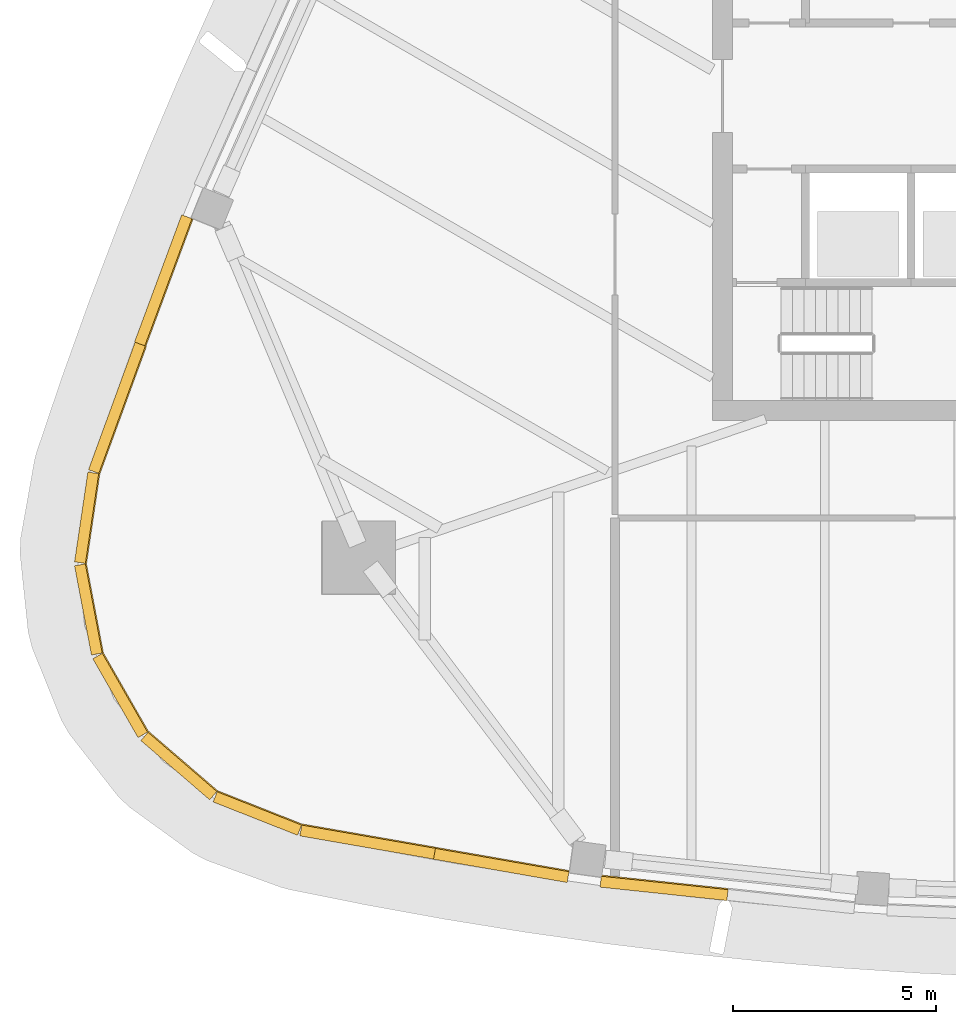
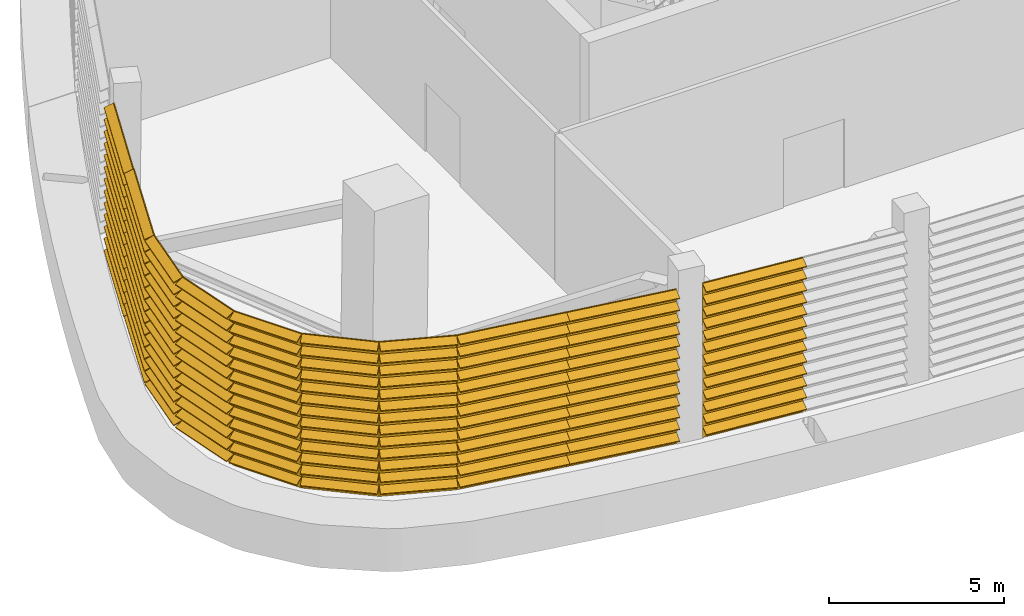
# One storey, part 7 of 15: 10 shading devices.
"""IFC4 building model written with IfcOpenShell, lengths in metres."""

from ifc_helpers import new_model, si_unit, direction, frame, origin, place, context, subcontext, project, spatial, polyline, outline, extrude, material, type_object, element, save


model = new_model("IFC4")

# Units and contexts
model_context = context("Model", 3, precision=1e-05, world=origin(), true_north=direction((0.0, 1.0)))
body_context = subcontext(model_context, "Body", "Model", "MODEL_VIEW")
ifc_project = project(units=[si_unit("LENGTHUNIT", "METRE"), si_unit("AREAUNIT", "SQUARE_METRE"), si_unit("VOLUMEUNIT", "CUBIC_METRE"), si_unit("PLANEANGLEUNIT", "RADIAN"), si_unit("MASSUNIT", "GRAM", prefix="KILO")], contexts=[model_context])

# Site, building, storey
site_placement = place(None, origin())
site = spatial("IfcSite", under=ifc_project, at=site_placement, CompositionType="ELEMENT")
building_placement = place(site_placement, origin())
building = spatial("IfcBuilding", under=site, at=building_placement, Name="Sierra Prisma Convention Tower", CompositionType="ELEMENT")
storey_placement = place(building_placement, frame((0.0, 0.0, 324.39990234375)))
storey = spatial("IfcBuildingStorey", under=building, at=storey_placement, Name="L74", CompositionType="ELEMENT", Elevation=324.39990234375)

# Shading devices
ifc_material = material(Name="Aluminium 6063-T6 bronze anodised", Category="aluminium")
shading_device_type = type_object("IfcShadingDeviceType", Name="Louvre bay bronze", PredefinedType="USERDEFINED", material=ifc_material)
shading_device_1_placement = place(storey_placement, frame((-21.11376953125, -17.943359375, 0.0), z_axis=(-0.985221809812, 0.17128334849, 0.0), x_axis=(0.0, 0.0, 1.0)))
element("IfcShadingDevice", 1, at=shading_device_1_placement, inside=storey, type_object=shading_device_type, Name="Louvre L74 S1.1", ObjectType="LOUVRE", PredefinedType="USERDEFINED", context=body_context, shape_type="SweptSolid", body=[
    extrude(outline(polyline([(0.0, 0.0), (5.400146484375, 0.0), (5.400146484375, -0.029982614576560637), (5.380126953125, -0.029982614576560637), (5.260009765625, -0.30010849565777015), (5.22998046875, -0.30010849565777015), (5.35009765625, -0.029982614576560637), (4.984619140625, -0.029982614576560637), (4.964599609375, -0.029982614576560637), (4.8447265625, -0.30010849565777015), (4.814697265625, -0.30010849565777015), (4.934814453125, -0.029982614576560637), (4.5693359375, -0.029982614576560637), (4.54931640625, -0.029982614576560637), (4.429443359375, -0.30010849565777015), (4.3994140625, -0.30010849565777015), (4.519287109375, -0.029982614576560637), (4.154052734375, -0.029982614576560637), (4.134033203125, -0.029982614576560637), (4.013916015625, -0.30010849565777015), (3.98388671875, -0.30010849565777015), (4.10400390625, -0.029982614576560637), (3.738525390625, -0.029982614576560637), (3.718505859375, -0.029982614576560637), (3.5986328125, -0.30010849565777015), (3.568603515625, -0.30010849565777015), (3.6884765625, -0.029982614576560637), (3.3232421875, -0.029982614576560637), (3.30322265625, -0.029982614576560637), (3.18310546875, -0.30010849565777015), (3.153076171875, -0.30010849565777015), (3.273193359375, -0.029982614576560637), (2.90771484375, -0.029982614576560637), (2.8876953125, -0.029982614576560637), (2.767822265625, -0.30010849565777015), (2.73779296875, -0.30010849565777015), (2.85791015625, -0.029982614576560637), (2.492431640625, -0.029982614576560637), (2.472412109375, -0.029982614576560637), (2.352294921875, -0.30010849565777015), (2.322509765625, -0.30010849565777015), (2.4423828125, -0.029982614576560637), (2.076904296875, -0.029982614576560637), (2.05712890625, -0.029982614576560637), (1.93701171875, -0.30010849565777015), (1.906982421875, -0.30010849565777015), (2.027099609375, -0.029982614576560637), (1.66162109375, -0.029982614576560637), (1.6416015625, -0.029982614576560637), (1.521728515625, -0.30010849565777015), (1.49169921875, -0.30010849565777015), (1.611572265625, -0.029982614576560637), (1.246337890625, -0.029982614576560637), (1.226318359375, -0.029982614576560637), (1.106201171875, -0.30010849565777015), (1.076171875, -0.30010849565777015), (1.1962890625, -0.029982614576560637), (0.830810546875, -0.029982614576560637), (0.810791015625, -0.029982614576560637), (0.69091796875, -0.30010849565777015), (0.660888671875, -0.30010849565777015), (0.78076171875, -0.029982614576560637), (0.41552734375, -0.029982614576560637), (0.3955078125, -0.029982614576560637), (0.275390625, -0.30010849565777015), (0.245361328125, -0.30010849565777015), (0.365478515625, -0.029982614576560637), (0.0, -0.029982614576560637), (0.0, 0.0)])), origin(), (0.0, 0.0, -1.0), 3.343505859375),
])
shading_device_2_placement = place(storey_placement, frame((-17.81982421875, -18.5185546875, 0.0), z_axis=(-0.98516163122, 0.171629136139, 0.0), x_axis=(0.0, 0.0, 1.0)))
element("IfcShadingDevice", 2, at=shading_device_2_placement, inside=storey, type_object=shading_device_type, Name="Louvre L74 S1.2", ObjectType="LOUVRE", PredefinedType="USERDEFINED", context=body_context, shape_type="SweptSolid", body=[
    extrude(outline(polyline([(0.0, 0.0), (5.400146484375, 0.0), (5.400146484375, -0.029982609676891352), (5.380126953125, -0.029982609676891352), (5.260009765625, -0.30015041803441583), (5.22998046875, -0.30015041803441583), (5.35009765625, -0.029982609676891352), (4.984619140625, -0.029982609676891352), (4.964599609375, -0.029982609676891352), (4.8447265625, -0.30015041803441583), (4.814697265625, -0.30015041803441583), (4.934814453125, -0.029982609676891352), (4.5693359375, -0.029982609676891352), (4.54931640625, -0.029982609676891352), (4.429443359375, -0.30015041803441583), (4.3994140625, -0.30015041803441583), (4.519287109375, -0.029982609676891352), (4.154052734375, -0.029982609676891352), (4.134033203125, -0.029982609676891352), (4.013916015625, -0.30015041803441583), (3.98388671875, -0.30015041803441583), (4.10400390625, -0.029982609676891352), (3.738525390625, -0.029982609676891352), (3.718505859375, -0.029982609676891352), (3.5986328125, -0.30015041803441583), (3.568603515625, -0.30015041803441583), (3.6884765625, -0.029982609676891352), (3.3232421875, -0.029982609676891352), (3.30322265625, -0.029982609676891352), (3.18310546875, -0.30015041803441583), (3.153076171875, -0.30015041803441583), (3.273193359375, -0.029982609676891352), (2.90771484375, -0.029982609676891352), (2.8876953125, -0.029982609676891352), (2.767822265625, -0.30015041803441583), (2.73779296875, -0.30015041803441583), (2.85791015625, -0.029982609676891352), (2.492431640625, -0.029982609676891352), (2.472412109375, -0.029982609676891352), (2.352294921875, -0.30015041803441583), (2.322509765625, -0.30015041803441583), (2.4423828125, -0.029982609676891352), (2.076904296875, -0.029982609676891352), (2.05712890625, -0.029982609676891352), (1.93701171875, -0.30015041803441583), (1.906982421875, -0.30015041803441583), (2.027099609375, -0.029982609676891352), (1.66162109375, -0.029982609676891352), (1.6416015625, -0.029982609676891352), (1.521728515625, -0.30015041803441583), (1.49169921875, -0.30015041803441583), (1.611572265625, -0.029982609676891352), (1.246337890625, -0.029982609676891352), (1.226318359375, -0.029982609676891352), (1.106201171875, -0.30015041803441583), (1.076171875, -0.30015041803441583), (1.1962890625, -0.029982609676891352), (0.830810546875, -0.029982609676891352), (0.810791015625, -0.029982609676891352), (0.69091796875, -0.30015041803441583), (0.660888671875, -0.30015041803441583), (0.78076171875, -0.029982609676891352), (0.41552734375, -0.029982609676891352), (0.3955078125, -0.029982609676891352), (0.275390625, -0.30015041803441583), (0.245361328125, -0.30015041803441583), (0.365478515625, -0.029982609676891352), (0.0, -0.029982609676891352), (0.0, 0.0)])), origin(), (0.0, 0.0, -1.0), 3.343505859375),
])
shading_device_3_placement = place(storey_placement, frame((-13.734130859375, -19.2041015625, 0.0), z_axis=(-0.994453485759, 0.105177301079, 0.0), x_axis=(0.0, 0.0, 1.0)))
element("IfcShadingDevice", 3, at=shading_device_3_placement, inside=storey, type_object=shading_device_type, Name="Louvre L74 S2.1", ObjectType="LOUVRE", PredefinedType="USERDEFINED", context=body_context, shape_type="SweptSolid", body=[
    extrude(outline(polyline([(0.0, 0.0), (5.400146484375, 0.0), (5.400146484375, -0.029953767132957766), (5.380126953125, -0.029953767132957766), (5.260009765625, -0.29997188821662857), (5.22998046875, -0.29997188821662857), (5.35009765625, -0.029953767132957766), (4.984619140625, -0.029953767132957766), (4.964599609375, -0.029953767132957766), (4.8447265625, -0.29997188821662857), (4.814697265625, -0.29997188821662857), (4.934814453125, -0.029953767132957766), (4.5693359375, -0.029953767132957766), (4.54931640625, -0.029953767132957766), (4.429443359375, -0.29997188821662857), (4.3994140625, -0.29997188821662857), (4.519287109375, -0.029953767132957766), (4.154052734375, -0.029953767132957766), (4.134033203125, -0.029953767132957766), (4.013916015625, -0.29997188821662857), (3.98388671875, -0.29997188821662857), (4.10400390625, -0.029953767132957766), (3.738525390625, -0.029953767132957766), (3.718505859375, -0.029953767132957766), (3.5986328125, -0.29997188821662857), (3.568603515625, -0.29997188821662857), (3.6884765625, -0.029953767132957766), (3.3232421875, -0.029953767132957766), (3.30322265625, -0.029953767132957766), (3.18310546875, -0.29997188821662857), (3.153076171875, -0.29997188821662857), (3.273193359375, -0.029953767132957766), (2.90771484375, -0.029953767132957766), (2.8876953125, -0.029953767132957766), (2.767822265625, -0.29997188821662857), (2.73779296875, -0.29997188821662857), (2.85791015625, -0.029953767132957766), (2.492431640625, -0.029953767132957766), (2.472412109375, -0.029953767132957766), (2.352294921875, -0.29997188821662857), (2.322509765625, -0.29997188821662857), (2.4423828125, -0.029953767132957766), (2.076904296875, -0.029953767132957766), (2.05712890625, -0.029953767132957766), (1.93701171875, -0.29997188821662857), (1.906982421875, -0.29997188821662857), (2.027099609375, -0.029953767132957766), (1.66162109375, -0.029953767132957766), (1.6416015625, -0.029953767132957766), (1.521728515625, -0.29997188821662857), (1.49169921875, -0.29997188821662857), (1.611572265625, -0.029953767132957766), (1.246337890625, -0.029953767132957766), (1.226318359375, -0.029953767132957766), (1.106201171875, -0.29997188821662857), (1.076171875, -0.29997188821662857), (1.1962890625, -0.029953767132957766), (0.830810546875, -0.029953767132957766), (0.810791015625, -0.029953767132957766), (0.69091796875, -0.29997188821662857), (0.660888671875, -0.29997188821662857), (0.78076171875, -0.029953767132957766), (0.41552734375, -0.029953767132957766), (0.3955078125, -0.029953767132957766), (0.275390625, -0.29997188821662857), (0.245361328125, -0.29997188821662857), (0.365478515625, -0.029953767132957766), (0.0, -0.029953767132957766), (0.0, 0.0)])), origin(), (0.0, 0.0, -1.0), 3.1435546875),
])
shading_device_4_placement = place(storey_placement, frame((-23.798828125, -3.033203125, 0.0), z_axis=(0.347573227133, 0.937652841824, 0.0), x_axis=(0.0, 0.0, 1.0)))
element("IfcShadingDevice", 4, at=shading_device_4_placement, inside=storey, type_object=shading_device_type, Name="Louvre L74 NW6.1", ObjectType="LOUVRE", PredefinedType="USERDEFINED", context=body_context, shape_type="SweptSolid", body=[
    extrude(outline(polyline([(0.0, 0.0), (5.400146484375, 0.0), (5.400146484375, -0.029974542377065965), (5.380126953125, -0.029974542377065965), (5.260009765625, -0.3000671031596655), (5.22998046875, -0.3000671031596655), (5.35009765625, -0.029974542377065965), (4.984619140625, -0.029974542377065965), (4.964599609375, -0.029974542377065965), (4.8447265625, -0.3000671031596655), (4.814697265625, -0.3000671031596655), (4.934814453125, -0.029974542377065965), (4.5693359375, -0.029974542377065965), (4.54931640625, -0.029974542377065965), (4.429443359375, -0.3000671031596655), (4.3994140625, -0.3000671031596655), (4.519287109375, -0.029974542377065965), (4.154052734375, -0.029974542377065965), (4.134033203125, -0.029974542377065965), (4.013916015625, -0.3000671031596655), (3.98388671875, -0.3000671031596655), (4.10400390625, -0.029974542377065965), (3.738525390625, -0.029974542377065965), (3.718505859375, -0.029974542377065965), (3.5986328125, -0.3000671031596655), (3.568603515625, -0.3000671031596655), (3.6884765625, -0.029974542377065965), (3.3232421875, -0.029974542377065965), (3.30322265625, -0.029974542377065965), (3.18310546875, -0.3000671031596655), (3.153076171875, -0.3000671031596655), (3.273193359375, -0.029974542377065965), (2.90771484375, -0.029974542377065965), (2.8876953125, -0.029974542377065965), (2.767822265625, -0.3000671031596655), (2.73779296875, -0.3000671031596655), (2.85791015625, -0.029974542377065965), (2.492431640625, -0.029974542377065965), (2.472412109375, -0.029974542377065965), (2.352294921875, -0.3000671031596655), (2.322509765625, -0.3000671031596655), (2.4423828125, -0.029974542377065965), (2.076904296875, -0.029974542377065965), (2.05712890625, -0.029974542377065965), (1.93701171875, -0.3000671031596655), (1.906982421875, -0.3000671031596655), (2.027099609375, -0.029974542377065965), (1.66162109375, -0.029974542377065965), (1.6416015625, -0.029974542377065965), (1.521728515625, -0.3000671031596655), (1.49169921875, -0.3000671031596655), (1.611572265625, -0.029974542377065965), (1.246337890625, -0.029974542377065965), (1.226318359375, -0.029974542377065965), (1.106201171875, -0.3000671031596655), (1.076171875, -0.3000671031596655), (1.1962890625, -0.029974542377065965), (0.830810546875, -0.029974542377065965), (0.810791015625, -0.029974542377065965), (0.69091796875, -0.3000671031596655), (0.660888671875, -0.3000671031596655), (0.78076171875, -0.029974542377065965), (0.41552734375, -0.029974542377065965), (0.3955078125, -0.029974542377065965), (0.275390625, -0.3000671031596655), (0.245361328125, -0.3000671031596655), (0.365478515625, -0.029974542377065965), (0.0, -0.029974542377065965), (0.0, 0.0)])), origin(), (0.0, 0.0, -1.0), 3.343505859375),
])
shading_device_5_placement = place(storey_placement, frame((-24.947509765625, -6.173095703125, 0.0), z_axis=(0.343224165368, 0.939253518656, 0.0), x_axis=(0.0, 0.0, 1.0)))
element("IfcShadingDevice", 5, at=shading_device_5_placement, inside=storey, type_object=shading_device_type, Name="Louvre L74 NW6.2", ObjectType="LOUVRE", PredefinedType="USERDEFINED", context=body_context, shape_type="SweptSolid", body=[
    extrude(outline(polyline([(0.0, 0.0), (5.400146484375, 0.0), (5.400146484375, -0.0298900316383988), (5.380126953125, -0.0298900316383988), (5.260009765625, -0.29998514607279647), (5.22998046875, -0.29998514607279647), (5.35009765625, -0.0298900316383988), (4.984619140625, -0.0298900316383988), (4.964599609375, -0.0298900316383988), (4.8447265625, -0.29998514607279647), (4.814697265625, -0.29998514607279647), (4.934814453125, -0.0298900316383988), (4.5693359375, -0.0298900316383988), (4.54931640625, -0.0298900316383988), (4.429443359375, -0.29998514607279647), (4.3994140625, -0.29998514607279647), (4.519287109375, -0.0298900316383988), (4.154052734375, -0.0298900316383988), (4.134033203125, -0.0298900316383988), (4.013916015625, -0.29998514607279647), (3.98388671875, -0.29998514607279647), (4.10400390625, -0.0298900316383988), (3.738525390625, -0.0298900316383988), (3.718505859375, -0.0298900316383988), (3.5986328125, -0.29998514607279647), (3.568603515625, -0.29998514607279647), (3.6884765625, -0.0298900316383988), (3.3232421875, -0.0298900316383988), (3.30322265625, -0.0298900316383988), (3.18310546875, -0.29998514607279647), (3.153076171875, -0.29998514607279647), (3.273193359375, -0.0298900316383988), (2.90771484375, -0.0298900316383988), (2.8876953125, -0.0298900316383988), (2.767822265625, -0.29998514607279647), (2.73779296875, -0.29998514607279647), (2.85791015625, -0.0298900316383988), (2.492431640625, -0.0298900316383988), (2.472412109375, -0.0298900316383988), (2.352294921875, -0.29998514607279647), (2.322509765625, -0.29998514607279647), (2.4423828125, -0.0298900316383988), (2.076904296875, -0.0298900316383988), (2.05712890625, -0.0298900316383988), (1.93701171875, -0.29998514607279647), (1.906982421875, -0.29998514607279647), (2.027099609375, -0.0298900316383988), (1.66162109375, -0.0298900316383988), (1.6416015625, -0.0298900316383988), (1.521728515625, -0.29998514607279647), (1.49169921875, -0.29998514607279647), (1.611572265625, -0.0298900316383988), (1.246337890625, -0.0298900316383988), (1.226318359375, -0.0298900316383988), (1.106201171875, -0.29998514607279647), (1.076171875, -0.29998514607279647), (1.1962890625, -0.0298900316383988), (0.830810546875, -0.0298900316383988), (0.810791015625, -0.0298900316383988), (0.69091796875, -0.29998514607279647), (0.660888671875, -0.29998514607279647), (0.78076171875, -0.0298900316383988), (0.41552734375, -0.0298900316383988), (0.3955078125, -0.0298900316383988), (0.275390625, -0.29998514607279647), (0.245361328125, -0.29998514607279647), (0.365478515625, -0.0298900316383988), (0.0, -0.0298900316383988), (0.0, 0.0)])), origin(), (0.0, 0.0, -1.0), 3.343505859375),
])
shading_device_6_placement = place(storey_placement, frame((-26.09619140625, -9.313232421875, 0.0), z_axis=(0.146513985159, 0.989208598908, 0.0), x_axis=(0.0, 0.0, 1.0)))
element("IfcShadingDevice", 6, at=shading_device_6_placement, inside=storey, type_object=shading_device_type, Name="Louvre L74 SW1.1", ObjectType="LOUVRE", PredefinedType="USERDEFINED", context=body_context, shape_type="SweptSolid", body=[
    extrude(outline(polyline([(0.0, 0.0), (5.400146484375, 0.0), (5.400146484375, -0.03010759296865108), (5.380126953125, -0.03010759296865108), (5.260009765625, -0.3001456756800481), (5.22998046875, -0.3001456756800481), (5.35009765625, -0.03010759296865108), (4.984619140625, -0.03010759296865108), (4.964599609375, -0.03010759296865108), (4.8447265625, -0.3001456756800481), (4.814697265625, -0.3001456756800481), (4.934814453125, -0.03010759296865108), (4.5693359375, -0.03010759296865108), (4.54931640625, -0.03010759296865108), (4.429443359375, -0.3001456756800481), (4.3994140625, -0.3001456756800481), (4.519287109375, -0.03010759296865108), (4.154052734375, -0.03010759296865108), (4.134033203125, -0.03010759296865108), (4.013916015625, -0.3001456756800481), (3.98388671875, -0.3001456756800481), (4.10400390625, -0.03010759296865108), (3.738525390625, -0.03010759296865108), (3.718505859375, -0.03010759296865108), (3.5986328125, -0.3001456756800481), (3.568603515625, -0.3001456756800481), (3.6884765625, -0.03010759296865108), (3.3232421875, -0.03010759296865108), (3.30322265625, -0.03010759296865108), (3.18310546875, -0.3001456756800481), (3.153076171875, -0.3001456756800481), (3.273193359375, -0.03010759296865108), (2.90771484375, -0.03010759296865108), (2.8876953125, -0.03010759296865108), (2.767822265625, -0.3001456756800481), (2.73779296875, -0.3001456756800481), (2.85791015625, -0.03010759296865108), (2.492431640625, -0.03010759296865108), (2.472412109375, -0.03010759296865108), (2.352294921875, -0.3001456756800481), (2.322509765625, -0.3001456756800481), (2.4423828125, -0.03010759296865108), (2.076904296875, -0.03010759296865108), (2.05712890625, -0.03010759296865108), (1.93701171875, -0.3001456756800481), (1.906982421875, -0.3001456756800481), (2.027099609375, -0.03010759296865108), (1.66162109375, -0.03010759296865108), (1.6416015625, -0.03010759296865108), (1.521728515625, -0.3001456756800481), (1.49169921875, -0.3001456756800481), (1.611572265625, -0.03010759296865108), (1.246337890625, -0.03010759296865108), (1.226318359375, -0.03010759296865108), (1.106201171875, -0.3001456756800481), (1.076171875, -0.3001456756800481), (1.1962890625, -0.03010759296865108), (0.830810546875, -0.03010759296865108), (0.810791015625, -0.03010759296865108), (0.69091796875, -0.3001456756800481), (0.660888671875, -0.3001456756800481), (0.78076171875, -0.03010759296865108), (0.41552734375, -0.03010759296865108), (0.3955078125, -0.03010759296865108), (0.275390625, -0.3001456756800481), (0.245361328125, -0.3001456756800481), (0.365478515625, -0.03010759296865108), (0.0, -0.03010759296865108), (0.0, 0.0)])), origin(), (0.0, 0.0, -1.0), 2.237548828125),
])
shading_device_7_placement = place(storey_placement, frame((-26.426513671875, -11.5263671875, 0.0), z_axis=(-0.186526242796, 0.982449978751, 0.0), x_axis=(0.0, 0.0, 1.0)))
element("IfcShadingDevice", 7, at=shading_device_7_placement, inside=storey, type_object=shading_device_type, Name="Louvre L74 SW2.1", ObjectType="LOUVRE", PredefinedType="USERDEFINED", context=body_context, shape_type="SweptSolid", body=[
    extrude(outline(polyline([(0.0, 0.0), (5.400146484375, 0.0), (5.400146484375, -0.030069958743460433), (5.380126953125, -0.030069958743460433), (5.260009765625, -0.3001743368974221), (5.22998046875, -0.3001743368974221), (5.35009765625, -0.030069958743460433), (4.984619140625, -0.030069958743460433), (4.964599609375, -0.030069958743460433), (4.8447265625, -0.3001743368974221), (4.814697265625, -0.3001743368974221), (4.934814453125, -0.030069958743460433), (4.5693359375, -0.030069958743460433), (4.54931640625, -0.030069958743460433), (4.429443359375, -0.3001743368974221), (4.3994140625, -0.3001743368974221), (4.519287109375, -0.030069958743460433), (4.154052734375, -0.030069958743460433), (4.134033203125, -0.030069958743460433), (4.013916015625, -0.3001743368974221), (3.98388671875, -0.3001743368974221), (4.10400390625, -0.030069958743460433), (3.738525390625, -0.030069958743460433), (3.718505859375, -0.030069958743460433), (3.5986328125, -0.3001743368974221), (3.568603515625, -0.3001743368974221), (3.6884765625, -0.030069958743460433), (3.3232421875, -0.030069958743460433), (3.30322265625, -0.030069958743460433), (3.18310546875, -0.3001743368974221), (3.153076171875, -0.3001743368974221), (3.273193359375, -0.030069958743460433), (2.90771484375, -0.030069958743460433), (2.8876953125, -0.030069958743460433), (2.767822265625, -0.3001743368974221), (2.73779296875, -0.3001743368974221), (2.85791015625, -0.030069958743460433), (2.492431640625, -0.030069958743460433), (2.472412109375, -0.030069958743460433), (2.352294921875, -0.3001743368974221), (2.322509765625, -0.3001743368974221), (2.4423828125, -0.030069958743460433), (2.076904296875, -0.030069958743460433), (2.05712890625, -0.030069958743460433), (1.93701171875, -0.3001743368974221), (1.906982421875, -0.3001743368974221), (2.027099609375, -0.030069958743460433), (1.66162109375, -0.030069958743460433), (1.6416015625, -0.030069958743460433), (1.521728515625, -0.3001743368974221), (1.49169921875, -0.3001743368974221), (1.611572265625, -0.030069958743460433), (1.246337890625, -0.030069958743460433), (1.226318359375, -0.030069958743460433), (1.106201171875, -0.3001743368974221), (1.076171875, -0.3001743368974221), (1.1962890625, -0.030069958743460433), (0.830810546875, -0.030069958743460433), (0.810791015625, -0.030069958743460433), (0.69091796875, -0.3001743368974221), (0.660888671875, -0.3001743368974221), (0.78076171875, -0.030069958743460433), (0.41552734375, -0.030069958743460433), (0.3955078125, -0.030069958743460433), (0.275390625, -0.3001743368974221), (0.245361328125, -0.3001743368974221), (0.365478515625, -0.030069958743460433), (0.0, -0.030069958743460433), (0.0, 0.0)])), origin(), (0.0, 0.0, -1.0), 2.237548828125),
])
shading_device_8_placement = place(storey_placement, frame((-26.009033203125, -13.724609375, 0.0), z_axis=(-0.497255590129, 0.867604102161, 0.0), x_axis=(0.0, 0.0, 1.0)))
element("IfcShadingDevice", 8, at=shading_device_8_placement, inside=storey, type_object=shading_device_type, Name="Louvre L74 SW3.1", ObjectType="LOUVRE", PredefinedType="USERDEFINED", context=body_context, shape_type="SweptSolid", body=[
    extrude(outline(polyline([(0.0, 0.0), (5.400146484375, 0.0), (5.400146484375, -0.03006988035376614), (5.380126953125, -0.03006988035376614), (5.260009765625, -0.29991350025337216), (5.22998046875, -0.29991350025337216), (5.35009765625, -0.03006988035376614), (4.984619140625, -0.03006988035376614), (4.964599609375, -0.03006988035376614), (4.8447265625, -0.29991350025337216), (4.814697265625, -0.29991350025337216), (4.934814453125, -0.03006988035376614), (4.5693359375, -0.03006988035376614), (4.54931640625, -0.03006988035376614), (4.429443359375, -0.29991350025337216), (4.3994140625, -0.29991350025337216), (4.519287109375, -0.03006988035376614), (4.154052734375, -0.03006988035376614), (4.134033203125, -0.03006988035376614), (4.013916015625, -0.29991350025337216), (3.98388671875, -0.29991350025337216), (4.10400390625, -0.03006988035376614), (3.738525390625, -0.03006988035376614), (3.718505859375, -0.03006988035376614), (3.5986328125, -0.29991350025337216), (3.568603515625, -0.29991350025337216), (3.6884765625, -0.03006988035376614), (3.3232421875, -0.03006988035376614), (3.30322265625, -0.03006988035376614), (3.18310546875, -0.29991350025337216), (3.153076171875, -0.29991350025337216), (3.273193359375, -0.03006988035376614), (2.90771484375, -0.03006988035376614), (2.8876953125, -0.03006988035376614), (2.767822265625, -0.29991350025337216), (2.73779296875, -0.29991350025337216), (2.85791015625, -0.03006988035376614), (2.492431640625, -0.03006988035376614), (2.472412109375, -0.03006988035376614), (2.352294921875, -0.29991350025337216), (2.322509765625, -0.29991350025337216), (2.4423828125, -0.03006988035376614), (2.076904296875, -0.03006988035376614), (2.05712890625, -0.03006988035376614), (1.93701171875, -0.29991350025337216), (1.906982421875, -0.29991350025337216), (2.027099609375, -0.03006988035376614), (1.66162109375, -0.03006988035376614), (1.6416015625, -0.03006988035376614), (1.521728515625, -0.29991350025337216), (1.49169921875, -0.29991350025337216), (1.611572265625, -0.03006988035376614), (1.246337890625, -0.03006988035376614), (1.226318359375, -0.03006988035376614), (1.106201171875, -0.29991350025337216), (1.076171875, -0.29991350025337216), (1.1962890625, -0.03006988035376614), (0.830810546875, -0.03006988035376614), (0.810791015625, -0.03006988035376614), (0.69091796875, -0.29991350025337216), (0.660888671875, -0.29991350025337216), (0.78076171875, -0.03006988035376614), (0.41552734375, -0.03006988035376614), (0.3955078125, -0.03006988035376614), (0.275390625, -0.29991350025337216), (0.245361328125, -0.29991350025337216), (0.365478515625, -0.03006988035376614), (0.0, -0.03006988035376614), (0.0, 0.0)])), origin(), (0.0, 0.0, -1.0), 2.237548828125),
])
shading_device_9_placement = place(storey_placement, frame((-24.890380859375, -15.662353515625, 0.0), z_axis=(-0.757903644977, 0.652366511196, 0.0), x_axis=(0.0, 0.0, 1.0)))
element("IfcShadingDevice", 9, at=shading_device_9_placement, inside=storey, type_object=shading_device_type, Name="Louvre L74 SW4.1", ObjectType="LOUVRE", PredefinedType="USERDEFINED", context=body_context, shape_type="SweptSolid", body=[
    extrude(outline(polyline([(0.0, 0.0), (5.400146484375, 0.0), (5.400146484375, -0.02994979489222996), (5.380126953125, -0.02994979489222996), (5.260009765625, -0.30000152232741917), (5.22998046875, -0.30000152232741917), (5.35009765625, -0.02994979489222996), (4.984619140625, -0.02994979489222996), (4.964599609375, -0.02994979489222996), (4.8447265625, -0.30000152232741917), (4.814697265625, -0.30000152232741917), (4.934814453125, -0.02994979489222996), (4.5693359375, -0.02994979489222996), (4.54931640625, -0.02994979489222996), (4.429443359375, -0.30000152232741917), (4.3994140625, -0.30000152232741917), (4.519287109375, -0.02994979489222996), (4.154052734375, -0.02994979489222996), (4.134033203125, -0.02994979489222996), (4.013916015625, -0.30000152232741917), (3.98388671875, -0.30000152232741917), (4.10400390625, -0.02994979489222996), (3.738525390625, -0.02994979489222996), (3.718505859375, -0.02994979489222996), (3.5986328125, -0.30000152232741917), (3.568603515625, -0.30000152232741917), (3.6884765625, -0.02994979489222996), (3.3232421875, -0.02994979489222996), (3.30322265625, -0.02994979489222996), (3.18310546875, -0.30000152232741917), (3.153076171875, -0.30000152232741917), (3.273193359375, -0.02994979489222996), (2.90771484375, -0.02994979489222996), (2.8876953125, -0.02994979489222996), (2.767822265625, -0.30000152232741917), (2.73779296875, -0.30000152232741917), (2.85791015625, -0.02994979489222996), (2.492431640625, -0.02994979489222996), (2.472412109375, -0.02994979489222996), (2.352294921875, -0.30000152232741917), (2.322509765625, -0.30000152232741917), (2.4423828125, -0.02994979489222996), (2.076904296875, -0.02994979489222996), (2.05712890625, -0.02994979489222996), (1.93701171875, -0.30000152232741917), (1.906982421875, -0.30000152232741917), (2.027099609375, -0.02994979489222996), (1.66162109375, -0.02994979489222996), (1.6416015625, -0.02994979489222996), (1.521728515625, -0.30000152232741917), (1.49169921875, -0.30000152232741917), (1.611572265625, -0.02994979489222996), (1.246337890625, -0.02994979489222996), (1.226318359375, -0.02994979489222996), (1.106201171875, -0.30000152232741917), (1.076171875, -0.30000152232741917), (1.1962890625, -0.02994979489222996), (0.830810546875, -0.02994979489222996), (0.810791015625, -0.02994979489222996), (0.69091796875, -0.30000152232741917), (0.660888671875, -0.30000152232741917), (0.78076171875, -0.02994979489222996), (0.41552734375, -0.02994979489222996), (0.3955078125, -0.02994979489222996), (0.275390625, -0.30000152232741917), (0.245361328125, -0.30000152232741917), (0.365478515625, -0.02994979489222996), (0.0, -0.02994979489222996), (0.0, 0.0)])), origin(), (0.0, 0.0, -1.0), 2.237548828125),
])
shading_device_10_placement = place(storey_placement, frame((-23.1953125, -17.123046875, 0.0), z_axis=(-0.930177662738, 0.367109678085, 0.0), x_axis=(0.0, 0.0, 1.0)))
element("IfcShadingDevice", 10, at=shading_device_10_placement, inside=storey, type_object=shading_device_type, Name="Louvre L74 SW5.1", ObjectType="LOUVRE", PredefinedType="USERDEFINED", context=body_context, shape_type="SweptSolid", body=[
    extrude(outline(polyline([(0.0, 0.0), (5.400146484375, 0.0), (5.400146484375, -0.029921921158674914), (5.380126953125, -0.029921921158674914), (5.260009765625, -0.2999901204408259), (5.22998046875, -0.2999901204408259), (5.35009765625, -0.029921921158674914), (4.984619140625, -0.029921921158674914), (4.964599609375, -0.029921921158674914), (4.8447265625, -0.2999901204408259), (4.814697265625, -0.2999901204408259), (4.934814453125, -0.029921921158674914), (4.5693359375, -0.029921921158674914), (4.54931640625, -0.029921921158674914), (4.429443359375, -0.2999901204408259), (4.3994140625, -0.2999901204408259), (4.519287109375, -0.029921921158674914), (4.154052734375, -0.029921921158674914), (4.134033203125, -0.029921921158674914), (4.013916015625, -0.2999901204408259), (3.98388671875, -0.2999901204408259), (4.10400390625, -0.029921921158674914), (3.738525390625, -0.029921921158674914), (3.718505859375, -0.029921921158674914), (3.5986328125, -0.2999901204408259), (3.568603515625, -0.2999901204408259), (3.6884765625, -0.029921921158674914), (3.3232421875, -0.029921921158674914), (3.30322265625, -0.029921921158674914), (3.18310546875, -0.2999901204408259), (3.153076171875, -0.2999901204408259), (3.273193359375, -0.029921921158674914), (2.90771484375, -0.029921921158674914), (2.8876953125, -0.029921921158674914), (2.767822265625, -0.2999901204408259), (2.73779296875, -0.2999901204408259), (2.85791015625, -0.029921921158674914), (2.492431640625, -0.029921921158674914), (2.472412109375, -0.029921921158674914), (2.352294921875, -0.2999901204408259), (2.322509765625, -0.2999901204408259), (2.4423828125, -0.029921921158674914), (2.076904296875, -0.029921921158674914), (2.05712890625, -0.029921921158674914), (1.93701171875, -0.2999901204408259), (1.906982421875, -0.2999901204408259), (2.027099609375, -0.029921921158674914), (1.66162109375, -0.029921921158674914), (1.6416015625, -0.029921921158674914), (1.521728515625, -0.2999901204408259), (1.49169921875, -0.2999901204408259), (1.611572265625, -0.029921921158674914), (1.246337890625, -0.029921921158674914), (1.226318359375, -0.029921921158674914), (1.106201171875, -0.2999901204408259), (1.076171875, -0.2999901204408259), (1.1962890625, -0.029921921158674914), (0.830810546875, -0.029921921158674914), (0.810791015625, -0.029921921158674914), (0.69091796875, -0.2999901204408259), (0.660888671875, -0.2999901204408259), (0.78076171875, -0.029921921158674914), (0.41552734375, -0.029921921158674914), (0.3955078125, -0.029921921158674914), (0.275390625, -0.2999901204408259), (0.245361328125, -0.2999901204408259), (0.365478515625, -0.029921921158674914), (0.0, -0.029921921158674914), (0.0, 0.0)])), origin(), (0.0, 0.0, -1.0), 2.237548828125),
])

save(model, "model.ifc")
